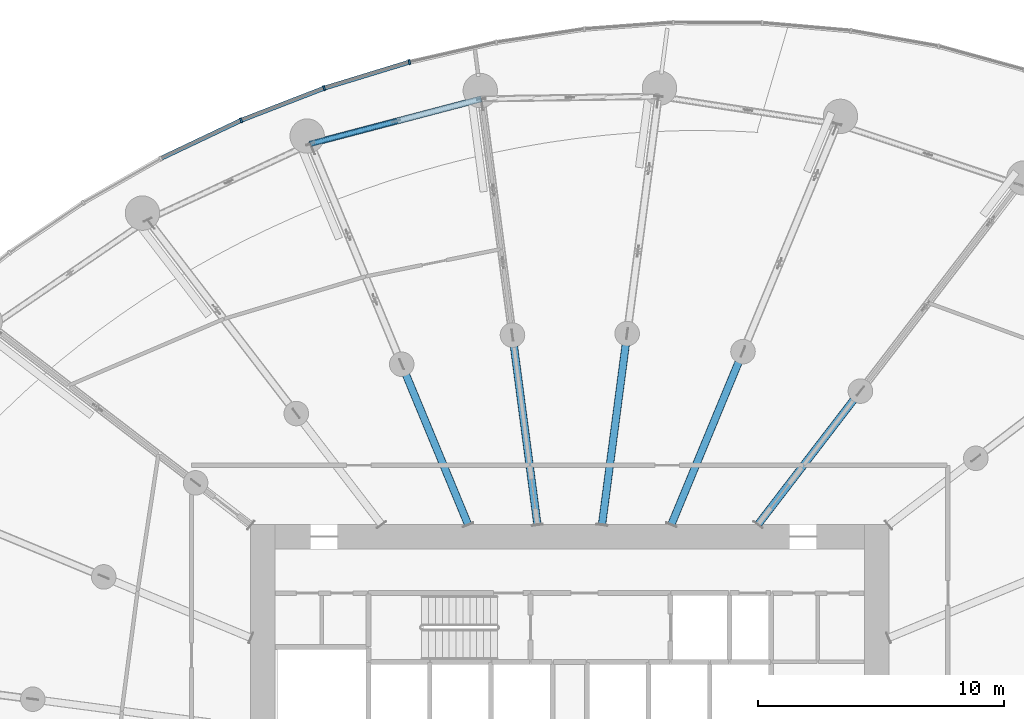
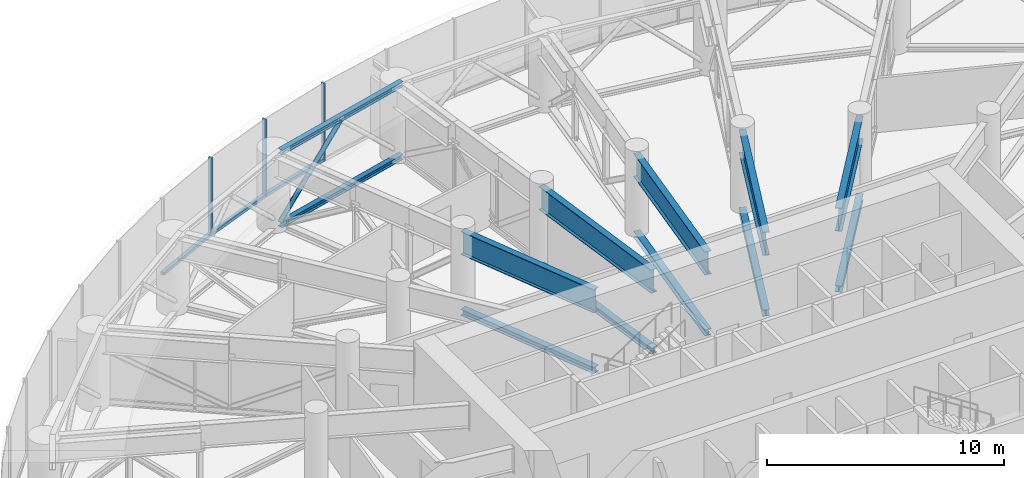
# One storey, part 12 of 42: 14 members, 5 beams, 1 element without a shape of its own.
"""IFC4 building model written with IfcOpenShell, lengths in metres."""

from ifc_helpers import new_model, si_unit, direction, frame, origin, origin_2d, place, context, subcontext, project, spatial, rectangle, hollow_circle, i_section, extrude, source, transform, mapped, material, layer, layer_set, material_profile, profile_set, type_object, element, aggregate, save


model = new_model("IFC4")

# Units and contexts
model_context = context("Model", 3, precision=1e-05, world=origin(), true_north=direction((0.0, 1.0)))
body_context = subcontext(model_context, "Body", "Model", "MODEL_VIEW")
ifc_project = project(units=[si_unit("LENGTHUNIT", "METRE"), si_unit("AREAUNIT", "SQUARE_METRE"), si_unit("VOLUMEUNIT", "CUBIC_METRE"), si_unit("PLANEANGLEUNIT", "RADIAN"), si_unit("MASSUNIT", "GRAM", prefix="KILO")], contexts=[model_context])

# Site, building, storey
site_placement = place(None, origin())
site = spatial("IfcSite", under=ifc_project, at=site_placement, CompositionType="ELEMENT")
building_placement = place(site_placement, origin())
building = spatial("IfcBuilding", under=site, at=building_placement, Name="Spindrift Exchange Tower", CompositionType="ELEMENT")
storey_placement = place(building_placement, frame((0.0, 0.0, 75.39990234375)))
storey = spatial("IfcBuildingStorey", under=building, at=storey_placement, Name="L17", CompositionType="ELEMENT", Elevation=75.39990234375)

# Beam
ifc_material_1 = material(Name="Steel Grade 300", Category="steel")
ifc_material_profile_1 = material_profile(ifc_material_1, i_section(OverallWidth=0.300048828125, OverallDepth=1.199951171875, WebThickness=0.011962890625, FlangeThickness=0.028076171875, at=origin_2d()), Name="1200WB249")
ifc_profile_set_1 = profile_set([ifc_material_profile_1], Name="Steel Grade 300")
beam_type = type_object("IfcBeamType", Name="Outrigger Truss Transfer Girder 1200WB249 Steel Grade 300", PredefinedType="BEAM", material=ifc_profile_set_1)
shared_shape_1 = source(origin(), body_context, "Body", "SweptSolid", [
    extrude(i_section(OverallWidth=0.300048828125, OverallDepth=1.199951171875, WebThickness=0.011962890625, FlangeThickness=0.028076171875, at=origin_2d()), origin(), (0.0, 0.0, 1.0), 6.856689453125),
])
beam_1_placement = place(storey_placement, frame((59.6611328125, 57.984130859375, 3.400146484375), z_axis=(0.608765628414, 0.793350117956, 0.0), x_axis=(-0.793350117956, 0.608765628414, 0.0)))
element("IfcBeam", 1, at=beam_1_placement, inside=storey, type_object=beam_type, Name="L17 outrigger truss 04 top chord 1", PredefinedType="BEAM", context=body_context, shape_type="MappedRepresentation", body=[
    mapped(shared_shape_1, transform((0.0, 0.0, 0.0), scale=1.0)),
])

# Member
ifc_material_profile_2 = material_profile(ifc_material_1, i_section(OverallWidth=0.31103515625, OverallDepth=0.326904296875, WebThickness=0.015625, FlangeThickness=0.02490234375, FilletRadius=0.0166015625, at=origin_2d()), Name="310UC158")
ifc_profile_set_2 = profile_set([ifc_material_profile_2], Name="Steel Grade 300")
member_type_1 = type_object("IfcMemberType", Name="Outrigger Truss Chord 310UC158 Steel Grade 300", PredefinedType="CHORD", material=ifc_profile_set_2)
shared_shape_2 = source(origin(), body_context, "Body", "SweptSolid", [
    extrude(i_section(OverallWidth=0.31103515625, OverallDepth=0.326904296875, WebThickness=0.015625, FlangeThickness=0.02490234375, FilletRadius=0.0166015625, at=origin_2d()), origin(), (0.0, 0.0, 1.0), 6.856689453125),
])
member_1_placement = place(storey_placement, frame((59.6611328125, 57.984130859375, -0.163330078125), z_axis=(0.608765628414, 0.793350117956, 0.0), x_axis=(-0.793350117956, 0.608765628414, 0.0)))
element("IfcMember", 2, at=member_1_placement, inside=storey, type_object=member_type_1, Name="L17 outrigger truss 04 bottom chord 1", PredefinedType="CHORD", context=body_context, shape_type="MappedRepresentation", body=[
    mapped(shared_shape_2, transform((0.0, 0.0, 0.0), scale=1.0)),
])

# Beam
shared_shape_3 = source(origin(), body_context, "Body", "SweptSolid", [
    extrude(i_section(OverallWidth=0.300048828125, OverallDepth=1.199951171875, WebThickness=0.011962890625, FlangeThickness=0.028076171875, at=origin_2d()), origin(), (0.0, 0.0, 1.0), 7.630615234375),
])
beam_2_placement = place(storey_placement, frame((56.134521484375, 57.9814453125, 3.400146484375), z_axis=(0.382688052328, 0.923877618846, 0.0), x_axis=(-0.923877618846, 0.382688052328, 0.0)))
element("IfcBeam", 3, at=beam_2_placement, inside=storey, type_object=beam_type, Name="L17 outrigger truss 05 top chord 1", PredefinedType="BEAM", context=body_context, shape_type="MappedRepresentation", body=[
    mapped(shared_shape_3, transform((0.0, 0.0, 0.0), scale=1.0)),
])

# Member
shared_shape_4 = source(origin(), body_context, "Body", "SweptSolid", [
    extrude(i_section(OverallWidth=0.31103515625, OverallDepth=0.326904296875, WebThickness=0.015625, FlangeThickness=0.02490234375, FilletRadius=0.0166015625, at=origin_2d()), origin(), (0.0, 0.0, 1.0), 7.630615234375),
])
member_2_placement = place(storey_placement, frame((56.134521484375, 57.9814453125, -0.163330078125), z_axis=(0.382688052328, 0.923877618846, 0.0), x_axis=(-0.923877618846, 0.382688052328, 0.0)))
element("IfcMember", 4, at=member_2_placement, inside=storey, type_object=member_type_1, Name="L17 outrigger truss 05 bottom chord 1", PredefinedType="CHORD", context=body_context, shape_type="MappedRepresentation", body=[
    mapped(shared_shape_4, transform((0.0, 0.0, 0.0), scale=1.0)),
])

# Beam
shared_shape_5 = source(origin(), body_context, "Body", "SweptSolid", [
    extrude(i_section(OverallWidth=0.300048828125, OverallDepth=1.199951171875, WebThickness=0.011962890625, FlangeThickness=0.028076171875, at=origin_2d()), origin(), (0.0, 0.0, 1.0), 7.854248046875),
])
beam_3_placement = place(storey_placement, frame((53.31396484375, 57.980224609375, 3.400146484375), z_axis=(0.130520446117, 0.991445617846, 0.0), x_axis=(-0.991445617846, 0.130520446117, 0.0)))
element("IfcBeam", 5, at=beam_3_placement, inside=storey, type_object=beam_type, Name="L17 outrigger truss 06 top chord 1", PredefinedType="BEAM", context=body_context, shape_type="MappedRepresentation", body=[
    mapped(shared_shape_5, transform((0.0, 0.0, 0.0), scale=1.0)),
])

# Member
shared_shape_6 = source(origin(), body_context, "Body", "SweptSolid", [
    extrude(i_section(OverallWidth=0.31103515625, OverallDepth=0.326904296875, WebThickness=0.015625, FlangeThickness=0.02490234375, FilletRadius=0.0166015625, at=origin_2d()), origin(), (0.0, 0.0, 1.0), 7.854248046875),
])
member_3_placement = place(storey_placement, frame((53.31396484375, 57.980224609375, -0.163330078125), z_axis=(0.130520446117, 0.991445617846, 0.0), x_axis=(-0.991445617846, 0.130520446117, 0.0)))
element("IfcMember", 6, at=member_3_placement, inside=storey, type_object=member_type_1, Name="L17 outrigger truss 06 bottom chord 1", PredefinedType="CHORD", context=body_context, shape_type="MappedRepresentation", body=[
    mapped(shared_shape_6, transform((0.0, 0.0, 0.0), scale=1.0)),
])

# Beam
shared_shape_7 = source(origin(), body_context, "Body", "SweptSolid", [
    extrude(i_section(OverallWidth=0.300048828125, OverallDepth=1.199951171875, WebThickness=0.011962890625, FlangeThickness=0.028076171875, at=origin_2d()), origin(), (0.0, 0.0, 1.0), 7.78955078125),
])
beam_4_placement = place(storey_placement, frame((50.68603515625, 57.980224609375, 3.400146484375), z_axis=(-0.130539641282, 0.991443090678, 0.0), x_axis=(-0.991443090678, -0.130539641282, 0.0)))
element("IfcBeam", 7, at=beam_4_placement, inside=storey, type_object=beam_type, Name="L17 outrigger truss 07 top chord 1", PredefinedType="BEAM", context=body_context, shape_type="MappedRepresentation", body=[
    mapped(shared_shape_7, transform((0.0, 0.0, 0.0), scale=1.0)),
])

# Member
shared_shape_8 = source(origin(), body_context, "Body", "SweptSolid", [
    extrude(i_section(OverallWidth=0.31103515625, OverallDepth=0.326904296875, WebThickness=0.015625, FlangeThickness=0.02490234375, FilletRadius=0.0166015625, at=origin_2d()), origin(), (0.0, 0.0, 1.0), 7.78955078125),
])
member_4_placement = place(storey_placement, frame((50.68603515625, 57.980224609375, -0.163330078125), z_axis=(-0.130539641282, 0.991443090678, 0.0), x_axis=(-0.991443090678, -0.130539641282, 0.0)))
element("IfcMember", 8, at=member_4_placement, inside=storey, type_object=member_type_1, Name="L17 outrigger truss 07 bottom chord 1", PredefinedType="CHORD", context=body_context, shape_type="MappedRepresentation", body=[
    mapped(shared_shape_8, transform((0.0, 0.0, 0.0), scale=1.0)),
])

# Beam
shared_shape_9 = source(origin(), body_context, "Body", "SweptSolid", [
    extrude(i_section(OverallWidth=0.300048828125, OverallDepth=1.199951171875, WebThickness=0.011962890625, FlangeThickness=0.028076171875, at=origin_2d()), origin(), (0.0, 0.0, 1.0), 7.07470703125),
])
beam_5_placement = place(storey_placement, frame((47.865478515625, 57.9814453125, 3.400146484375), z_axis=(-0.382673844804, 0.923883503751, 0.0), x_axis=(-0.923883503751, -0.382673844804, 0.0)))
element("IfcBeam", 9, at=beam_5_placement, inside=storey, type_object=beam_type, Name="L17 outrigger truss 08 top chord 1", PredefinedType="BEAM", context=body_context, shape_type="MappedRepresentation", body=[
    mapped(shared_shape_9, transform((0.0, 0.0, 0.0), scale=1.0)),
])

# Members
shared_shape_10 = source(origin(), body_context, "Body", "SweptSolid", [
    extrude(i_section(OverallWidth=0.31103515625, OverallDepth=0.326904296875, WebThickness=0.015625, FlangeThickness=0.02490234375, FilletRadius=0.0166015625, at=origin_2d()), origin(), (0.0, 0.0, 1.0), 7.07470703125),
])
member_5_placement = place(storey_placement, frame((47.865478515625, 57.9814453125, -0.163330078125), z_axis=(-0.382673844804, 0.923883503751, 0.0), x_axis=(-0.923883503751, -0.382673844804, 0.0)))
element("IfcMember", 10, at=member_5_placement, inside=storey, type_object=member_type_1, Name="L17 outrigger truss 08 bottom chord 1", PredefinedType="CHORD", context=body_context, shape_type="MappedRepresentation", body=[
    mapped(shared_shape_10, transform((0.0, 0.0, 0.0), scale=1.0)),
])
ifc_material_profile_3 = material_profile(ifc_material_1, i_section(OverallWidth=0.256103515625, OverallDepth=0.260009765625, WebThickness=0.010498046875, FlangeThickness=0.017333984375, FilletRadius=0.011962890625, at=origin_2d()), Name="250UC89.5")
ifc_profile_set_3 = profile_set([ifc_material_profile_3], Name="Steel Grade 300")
member_type_2 = type_object("IfcMemberType", Name="Belt Truss Chord 250UC89.5 Steel Grade 300", PredefinedType="CHORD", material=ifc_profile_set_3)
shared_shape_11 = source(origin(), body_context, "Body", "SweptSolid", [
    extrude(i_section(OverallWidth=0.256103515625, OverallDepth=0.260009765625, WebThickness=0.010498046875, FlangeThickness=0.017333984375, FilletRadius=0.011962890625, at=origin_2d()), origin(), (0.0, 0.0, 1.0), 7.19921875),
])
for number, where, z_axis, x_axis, name in (
    (11, (48.402587890625, 75.32421875, 3.8701171875), (-0.967160140139, -0.254167785776, 0.0), (0.254167785776, -0.967160140139, 0.0), "L17 belt truss 07 top chord"),
    (12, (48.402587890625, 75.32421875, 0.130126953125), (-0.967160140139, -0.254167785776, 0.0), (0.254167785776, -0.967160140139, 0.0), "L17 belt truss 07 bottom chord"),
):
    element("IfcMember", number, at=place(storey_placement, frame(where, z_axis=z_axis, x_axis=x_axis)), inside=storey, type_object=member_type_2, Name=name, PredefinedType="CHORD", context=body_context, shape_type="MappedRepresentation", body=[
        mapped(shared_shape_11, transform((0.0, 0.0, 0.0), scale=1.0)),
    ])
ifc_material_2 = material(Name="Steel Grade 350", Category="steel")
ifc_material_profile_4 = material_profile(ifc_material_2, hollow_circle(Radius=0.109619140625, WallThickness=0.00830078125, at=origin_2d()), Name="219.1x8.2CHS")
ifc_profile_set_4 = profile_set([ifc_material_profile_4], Name="Steel Grade 350")
member_type_3 = type_object("IfcMemberType", Name="Belt Truss Diagonal 219.1x8.2CHS Steel Grade 350", PredefinedType="BRACE", material=ifc_profile_set_4)
shared_shape_12 = source(origin(), body_context, "Body", "SweptSolid", [
    extrude(hollow_circle(Radius=0.109619140625, WallThickness=0.00830078125, at=origin_2d()), origin(), (0.0, 0.0, 1.0), 5.0068359375),
])
member_6_placement = place(storey_placement, frame((44.921142578125, 74.4091796875, 3.739990234375), z_axis=(-0.695349927431, -0.182712214452, -0.695057353829), x_axis=(0.254136064456, -0.967168475884, 0.0)))
element("IfcMember", 13, at=member_6_placement, inside=storey, type_object=member_type_3, Name="L17 belt truss 07 diagonal 2", PredefinedType="BRACE", context=body_context, shape_type="MappedRepresentation", body=[
    mapped(shared_shape_12, transform((0.0, 0.0, 0.0), scale=1.0)),
])

# Curtain wall, members
ifc_material_3 = material(Name="Fritted laminated glass with bronze frame", Category="glass")
ifc_layer = layer(ifc_material_3, 0.199951171875)
ifc_layer_set = layer_set([ifc_layer], Name="ZONE 1 BRONZE FRITTED WALL")
curtain_wall_type = type_object("IfcCurtainWallType", Name="ZONE 1 BRONZE FRITTED WALL", PredefinedType="NOTDEFINED", material=ifc_layer_set)
curtain_wall_placement = place(storey_placement, origin())
curtain_wall = element("IfcCurtainWall", 14, at=curtain_wall_placement, inside=storey, type_object=curtain_wall_type, Name="L17 Zone 1 Bronze Fritted Wall run 3", PredefinedType="NOTDEFINED")
ifc_material_4 = material(Name="Bronze anodised aluminium", Category="aluminium")
ifc_material_profile_5 = material_profile(ifc_material_4, rectangle(XDim=0.179931640625, YDim=0.14990234375, at=origin_2d()), Name="ZONE 1 BRONZE FRITTED WALL TRANSOM 180X150")
ifc_profile_set_5 = profile_set([ifc_material_profile_5], Name="Bronze anodised aluminium")
member_type_4 = type_object("IfcMemberType", Name="ZONE 1 BRONZE FRITTED WALL TRANSOM 180X150", PredefinedType="USERDEFINED", material=ifc_profile_set_5)
shared_shape_13 = source(origin(), body_context, "Body", "SweptSolid", [
    extrude(rectangle(XDim=0.179931640625, YDim=0.14990234375, at=origin_2d()), origin(), (0.0, 0.0, 1.0), 3.54736328125),
])
member_7_placement = place(storey_placement, frame((45.43310546875, 76.809326171875, 0.0751953125), z_axis=(-0.95628797143, -0.29242659882, 0.0), x_axis=(0.29242659882, -0.95628797143, 0.0)))
member_7 = element("IfcMember", 15, at=member_7_placement, type_object=member_type_4, Name="L17 transom CW-1.15", ObjectType="TRANSOM", PredefinedType="USERDEFINED", context=body_context, shape_type="MappedRepresentation", body=[
    mapped(shared_shape_13, transform((0.0, 0.0, 0.0), scale=1.0)),
])
member_8_placement = place(storey_placement, frame((41.965087890625, 75.745849609375, 0.0751953125), z_axis=(-0.932470156024, -0.361247018154, 0.0), x_axis=(0.361247018154, -0.932470156024, 0.0)))
member_8 = element("IfcMember", 16, at=member_8_placement, type_object=member_type_4, Name="L17 transom CW-1.16", ObjectType="TRANSOM", PredefinedType="USERDEFINED", context=body_context, shape_type="MappedRepresentation", body=[
    mapped(shared_shape_13, transform((0.0, 0.0, 0.0), scale=1.0)),
])
member_9_placement = place(storey_placement, frame((38.583740234375, 74.432861328125, 0.0751953125), z_axis=(-0.903419484698, -0.428757780884, 0.0), x_axis=(0.428757780884, -0.903419484698, 0.0)))
member_9 = element("IfcMember", 17, at=member_9_placement, type_object=member_type_4, Name="L17 transom CW-1.17", ObjectType="TRANSOM", PredefinedType="USERDEFINED", context=body_context, shape_type="MappedRepresentation", body=[
    mapped(shared_shape_13, transform((0.0, 0.0, 0.0), scale=1.0)),
])
ifc_material_profile_6 = material_profile(ifc_material_4, rectangle(XDim=0.080078125, YDim=0.199951171875, at=origin_2d()), Name="ZONE 1 BRONZE FRITTED WALL MULLION 80X200")
ifc_profile_set_6 = profile_set([ifc_material_profile_6], Name="Bronze anodised aluminium")
member_type_5 = type_object("IfcMemberType", Name="ZONE 1 BRONZE FRITTED WALL MULLION 80X200", PredefinedType="MULLION", material=ifc_profile_set_6)
shared_shape_14 = source(origin(), body_context, "Body", "SweptSolid", [
    extrude(rectangle(XDim=0.080078125, YDim=0.199951171875, at=origin_2d()), origin(), (0.0, 0.0, 1.0), 4.0),
])
member_10_placement = place(storey_placement, frame((45.47119140625, 76.82080078125, 0.0), z_axis=(0.0, 0.0, 1.0), x_axis=(-0.966340109934, -0.257267938018, 0.0)))
member_10 = element("IfcMember", 18, at=member_10_placement, type_object=member_type_5, Name="L17 mullion CW-1.15", PredefinedType="MULLION", context=body_context, shape_type="MappedRepresentation", body=[
    mapped(shared_shape_14, transform((0.0, 0.0, 0.0), scale=1.0)),
])
member_11_placement = place(storey_placement, frame((42.00244140625, 75.76025390625, 0.0), z_axis=(0.0, 0.0, 1.0), x_axis=(-0.94501173462, -0.327036422178, 0.0)))
member_11 = element("IfcMember", 19, at=member_11_placement, type_object=member_type_5, Name="L17 mullion CW-1.16", PredefinedType="MULLION", context=body_context, shape_type="MappedRepresentation", body=[
    mapped(shared_shape_14, transform((0.0, 0.0, 0.0), scale=1.0)),
])
member_12_placement = place(storey_placement, frame((38.6201171875, 74.449951171875, 0.0), z_axis=(0.0, 0.0, 1.0), x_axis=(-0.918575622451, -0.395245273012, 0.0)))
member_12 = element("IfcMember", 20, at=member_12_placement, type_object=member_type_5, Name="L17 mullion CW-1.17", PredefinedType="MULLION", context=body_context, shape_type="MappedRepresentation", body=[
    mapped(shared_shape_14, transform((0.0, 0.0, 0.0), scale=1.0)),
])
aggregate(curtain_wall, [member_10, member_7, member_11, member_8, member_12, member_9])

save(model, "model.ifc")
